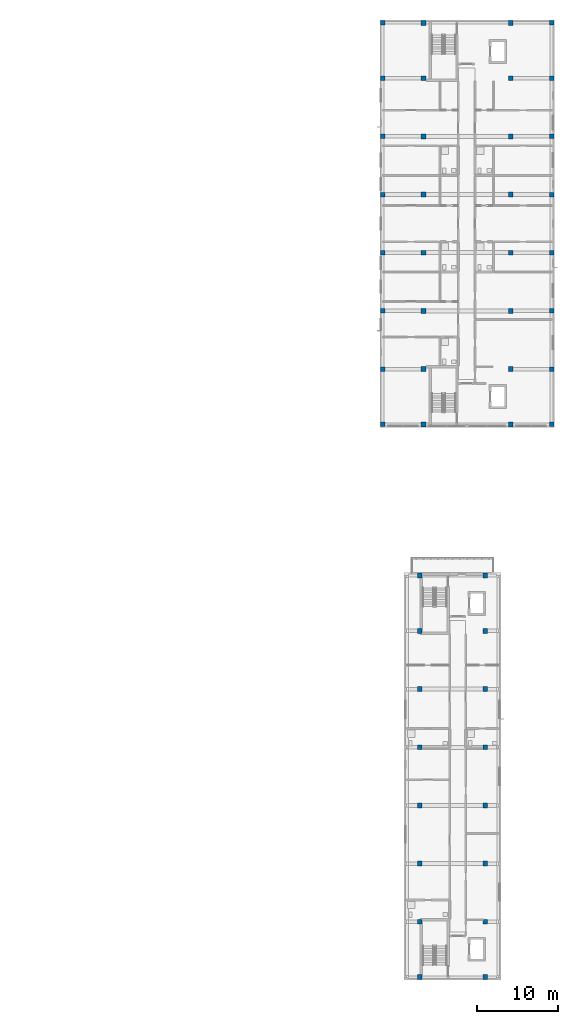
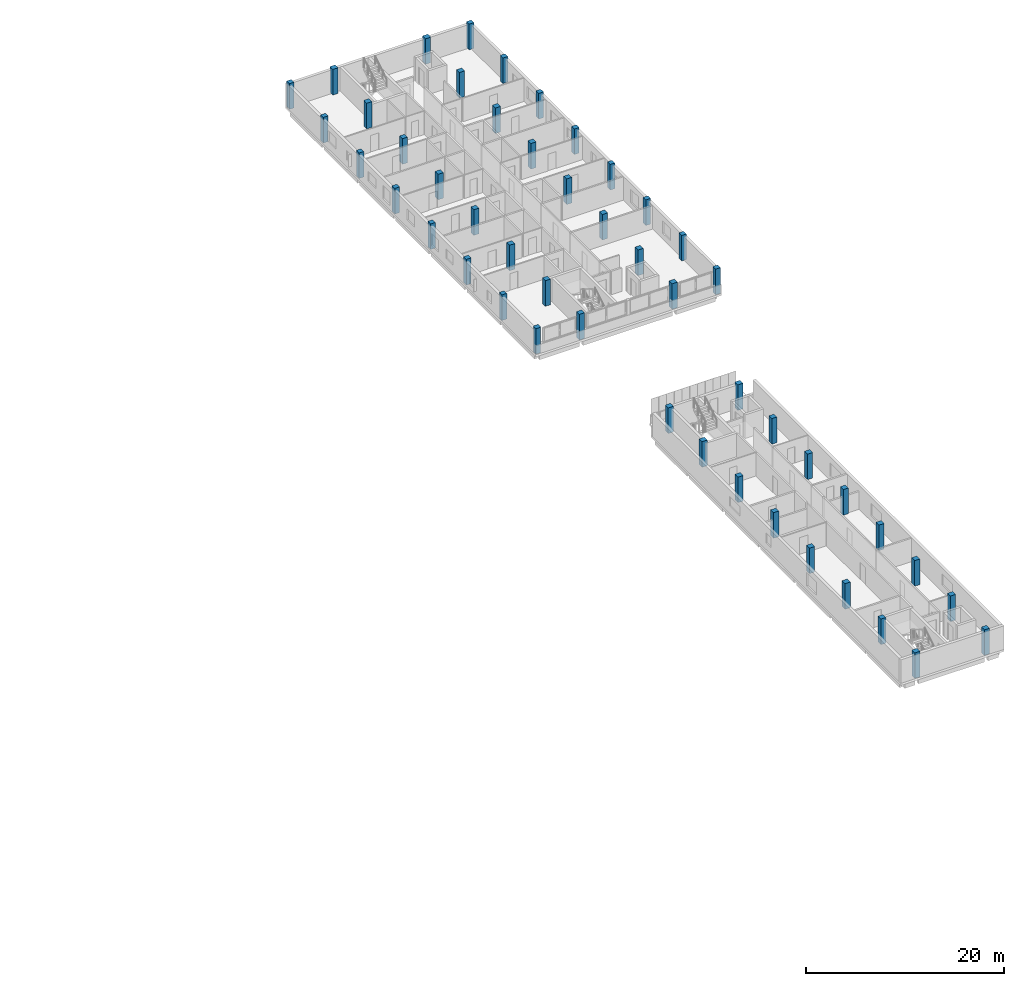
# One storey, part 2 of 35: 48 columns.
"""IFC4 building model written with IfcOpenShell, lengths in metres."""

from ifc_helpers import new_model, si_unit, derived_unit, direction, frame, origin, origin_2d, place, context, subcontext, project, spatial, rectangle, extrude, material, material_profile, profile_set, type_object, element, save


model = new_model("IFC4")

# Units and contexts
model_context = context("Model", 3, precision=1e-05, world=origin(), true_north=direction((0.0, 1.0)))
body_context = subcontext(model_context, "Body", "Model", "MODEL_VIEW")
ifc_project = project(units=[si_unit("LENGTHUNIT", "METRE"), si_unit("AREAUNIT", "SQUARE_METRE"), si_unit("VOLUMEUNIT", "CUBIC_METRE"), si_unit("PLANEANGLEUNIT", "RADIAN"), si_unit("MASSUNIT", "GRAM", prefix="KILO"), derived_unit("THERMALTRANSMITTANCEUNIT", [(si_unit("MASSUNIT", "GRAM", prefix="KILO"), 1), (si_unit("TIMEUNIT", "SECOND"), -3), (si_unit("THERMODYNAMICTEMPERATUREUNIT", "KELVIN"), -1)])], contexts=[model_context])

# Site, building, storey
site_placement = place(None, origin())
site = spatial("IfcSite", under=ifc_project, at=site_placement, CompositionType="ELEMENT")
building_placement = place(site_placement, origin())
building = spatial("IfcBuilding", under=site, at=building_placement, Name="Ochrekiln Boulevard Commons", CompositionType="ELEMENT")
storey_placement = place(building_placement, frame((0.0, 0.0, 30.97509765625)))
storey = spatial("IfcBuildingStorey", under=building, at=storey_placement, Name="L09", CompositionType="ELEMENT", Elevation=30.97509765625)

# Columns
ifc_material_1 = material(Name="Concrete C35/45", Category="concrete")
ifc_material_profile_1 = material_profile(ifc_material_1, rectangle(XDim=0.550048828125, YDim=0.550048828125, at=origin_2d()), Name="RC-COL-550x550")
ifc_profile_set_1 = profile_set([ifc_material_profile_1], Name="Concrete C35/45")
column_type_1 = type_object("IfcColumnType", Name="COL-RC-550", PredefinedType="COLUMN", material=ifc_profile_set_1)
for number, where, z_axis, x_axis, name in (
    (1, (151.550048828125, 68.75, 0.0), (0.0, 0.0, 1.0), (1.0, 0.0, 0.0), "Block B L09 Column C-550 (1)"),
    (2, (151.550048828125, 75.60009765625, 0.0), (0.0, 0.0, 1.0), (1.0, 0.0, 0.0), "Block B L09 Column C-550 (2)"),
    (3, (151.550048828125, 82.800048828125, 0.0), (0.0, 0.0, 1.0), (1.0, 0.0, 0.0), "Block B L09 Column C-550 (3)"),
    (4, (151.550048828125, 90.0, 0.0), (0.0, 0.0, 1.0), (1.0, 0.0, 0.0), "Block B L09 Column C-550 (4)"),
    (5, (151.550048828125, 97.199951171875, 0.0), (0.0, 0.0, 1.0), (1.0, 0.0, 0.0), "Block B L09 Column C-550 (5)"),
    (6, (151.550048828125, 104.39990234375, 0.0), (0.0, 0.0, 1.0), (1.0, 0.0, 0.0), "Block B L09 Column C-550 (6)"),
    (7, (151.550048828125, 111.60009765625, 0.0), (0.0, 0.0, 1.0), (1.0, 0.0, 0.0), "Block B L09 Column C-550 (7)"),
    (8, (151.550048828125, 118.449951171875, 0.0), (0.0, 0.0, 1.0), (1.0, 0.0, 0.0), "Block B L09 Column C-550 (8)"),
    (9, (172.449951171875, 68.75, 0.0), (0.0, 0.0, 1.0), (1.0, 0.0, 0.0), "Block B L09 Column C-550 (25)"),
    (10, (172.449951171875, 75.60009765625, 0.0), (0.0, 0.0, 1.0), (1.0, 0.0, 0.0), "Block B L09 Column C-550 (26)"),
    (11, (172.449951171875, 82.800048828125, 0.0), (0.0, 0.0, 1.0), (1.0, 0.0, 0.0), "Block B L09 Column C-550 (27)"),
    (12, (172.449951171875, 90.0, 0.0), (0.0, 0.0, 1.0), (1.0, 0.0, 0.0), "Block B L09 Column C-550 (28)"),
    (13, (172.449951171875, 97.199951171875, 0.0), (0.0, 0.0, 1.0), (1.0, 0.0, 0.0), "Block B L09 Column C-550 (29)"),
    (14, (172.449951171875, 104.39990234375, 0.0), (0.0, 0.0, 1.0), (1.0, 0.0, 0.0), "Block B L09 Column C-550 (30)"),
    (15, (172.449951171875, 111.60009765625, 0.0), (0.0, 0.0, 1.0), (1.0, 0.0, 0.0), "Block B L09 Column C-550 (31)"),
    (16, (172.449951171875, 118.449951171875, 0.0), (0.0, 0.0, 1.0), (1.0, 0.0, 0.0), "Block B L09 Column C-550 (32)"),
):
    element("IfcColumn", number, at=place(storey_placement, frame(where, z_axis=z_axis, x_axis=x_axis)), inside=storey, type_object=column_type_1, Name=name, PredefinedType="COLUMN", context=body_context, shape_type="SweptSolid", body=[
        extrude(rectangle(XDim=0.550048828125, YDim=0.550048828125, at=origin_2d()), origin(), (0.0, 0.0, 1.0), 3.14990234375),
    ])
ifc_material_2 = material(Name="Concrete C40/50", Category="concrete")
ifc_material_profile_2 = material_profile(ifc_material_2, rectangle(XDim=0.60009765625, YDim=0.60009765625, at=origin_2d()), Name="RC-COL-600x600")
ifc_profile_set_2 = profile_set([ifc_material_profile_2], Name="Concrete C40/50")
column_type_2 = type_object("IfcColumnType", Name="COL-RC-600", PredefinedType="COLUMN", material=ifc_profile_set_2)
for number, where, z_axis, x_axis, name in (
    (17, (156.60009765625, 68.75, 0.0), (0.0, 0.0, 1.0), (1.0, 0.0, 0.0), "Block B L09 Column C-600 (9)"),
    (18, (156.60009765625, 75.60009765625, 0.0), (0.0, 0.0, 1.0), (1.0, 0.0, 0.0), "Block B L09 Column C-600 (10)"),
    (19, (156.60009765625, 82.800048828125, 0.0), (0.0, 0.0, 1.0), (1.0, 0.0, 0.0), "Block B L09 Column C-600 (11)"),
    (20, (156.60009765625, 90.0, 0.0), (0.0, 0.0, 1.0), (1.0, 0.0, 0.0), "Block B L09 Column C-600 (12)"),
    (21, (156.60009765625, 97.199951171875, 0.0), (0.0, 0.0, 1.0), (1.0, 0.0, 0.0), "Block B L09 Column C-600 (13)"),
    (22, (156.60009765625, 104.39990234375, 0.0), (0.0, 0.0, 1.0), (1.0, 0.0, 0.0), "Block B L09 Column C-600 (14)"),
    (23, (156.60009765625, 111.60009765625, 0.0), (0.0, 0.0, 1.0), (1.0, 0.0, 0.0), "Block B L09 Column C-600 (15)"),
    (24, (156.60009765625, 118.449951171875, 0.0), (0.0, 0.0, 1.0), (1.0, 0.0, 0.0), "Block B L09 Column C-600 (16)"),
    (25, (167.39990234375, 68.75, 0.0), (0.0, 0.0, 1.0), (1.0, 0.0, 0.0), "Block B L09 Column C-600 (17)"),
    (26, (167.39990234375, 75.60009765625, 0.0), (0.0, 0.0, 1.0), (1.0, 0.0, 0.0), "Block B L09 Column C-600 (18)"),
    (27, (167.39990234375, 82.800048828125, 0.0), (0.0, 0.0, 1.0), (1.0, 0.0, 0.0), "Block B L09 Column C-600 (19)"),
    (28, (167.39990234375, 90.0, 0.0), (0.0, 0.0, 1.0), (1.0, 0.0, 0.0), "Block B L09 Column C-600 (20)"),
    (29, (167.39990234375, 97.199951171875, 0.0), (0.0, 0.0, 1.0), (1.0, 0.0, 0.0), "Block B L09 Column C-600 (21)"),
    (30, (167.39990234375, 104.39990234375, 0.0), (0.0, 0.0, 1.0), (1.0, 0.0, 0.0), "Block B L09 Column C-600 (22)"),
    (31, (167.39990234375, 111.60009765625, 0.0), (0.0, 0.0, 1.0), (1.0, 0.0, 0.0), "Block B L09 Column C-600 (23)"),
    (32, (167.39990234375, 118.449951171875, 0.0), (0.0, 0.0, 1.0), (1.0, 0.0, 0.0), "Block B L09 Column C-600 (24)"),
    (33, (156.14990234375, 0.35009765625, 0.0), (0.0, 0.0, 1.0), (1.0, 0.0, 0.0), "Block C L09 Column C-600 (9)"),
    (34, (156.14990234375, 7.199951171875, 0.0), (0.0, 0.0, 1.0), (1.0, 0.0, 0.0), "Block C L09 Column C-600 (10)"),
    (35, (156.14990234375, 14.39990234375, 0.0), (0.0, 0.0, 1.0), (1.0, 0.0, 0.0), "Block C L09 Column C-600 (11)"),
    (36, (156.14990234375, 21.60009765625, 0.0), (0.0, 0.0, 1.0), (1.0, 0.0, 0.0), "Block C L09 Column C-600 (12)"),
    (37, (156.14990234375, 28.800048828125, 0.0), (0.0, 0.0, 1.0), (1.0, 0.0, 0.0), "Block C L09 Column C-600 (13)"),
    (38, (156.14990234375, 36.0, 0.0), (0.0, 0.0, 1.0), (1.0, 0.0, 0.0), "Block C L09 Column C-600 (14)"),
    (39, (156.14990234375, 43.199951171875, 0.0), (0.0, 0.0, 1.0), (1.0, 0.0, 0.0), "Block C L09 Column C-600 (15)"),
    (40, (156.14990234375, 50.050048828125, 0.0), (0.0, 0.0, 1.0), (1.0, 0.0, 0.0), "Block C L09 Column C-600 (16)"),
    (41, (164.25, 0.35009765625, 0.0), (0.0, 0.0, 1.0), (1.0, 0.0, 0.0), "Block C L09 Column C-600 (17)"),
    (42, (164.25, 7.199951171875, 0.0), (0.0, 0.0, 1.0), (1.0, 0.0, 0.0), "Block C L09 Column C-600 (18)"),
    (43, (164.25, 14.39990234375, 0.0), (0.0, 0.0, 1.0), (1.0, 0.0, 0.0), "Block C L09 Column C-600 (19)"),
    (44, (164.25, 21.60009765625, 0.0), (0.0, 0.0, 1.0), (1.0, 0.0, 0.0), "Block C L09 Column C-600 (20)"),
    (45, (164.25, 28.800048828125, 0.0), (0.0, 0.0, 1.0), (1.0, 0.0, 0.0), "Block C L09 Column C-600 (21)"),
    (46, (164.25, 36.0, 0.0), (0.0, 0.0, 1.0), (1.0, 0.0, 0.0), "Block C L09 Column C-600 (22)"),
    (47, (164.25, 43.199951171875, 0.0), (0.0, 0.0, 1.0), (1.0, 0.0, 0.0), "Block C L09 Column C-600 (23)"),
    (48, (164.25, 50.050048828125, 0.0), (0.0, 0.0, 1.0), (1.0, 0.0, 0.0), "Block C L09 Column C-600 (24)"),
):
    element("IfcColumn", number, at=place(storey_placement, frame(where, z_axis=z_axis, x_axis=x_axis)), inside=storey, type_object=column_type_2, Name=name, PredefinedType="COLUMN", context=body_context, shape_type="SweptSolid", body=[
        extrude(rectangle(XDim=0.60009765625, YDim=0.60009765625, at=origin_2d()), origin(), (0.0, 0.0, 1.0), 3.14990234375),
    ])

save(model, "model.ifc")
